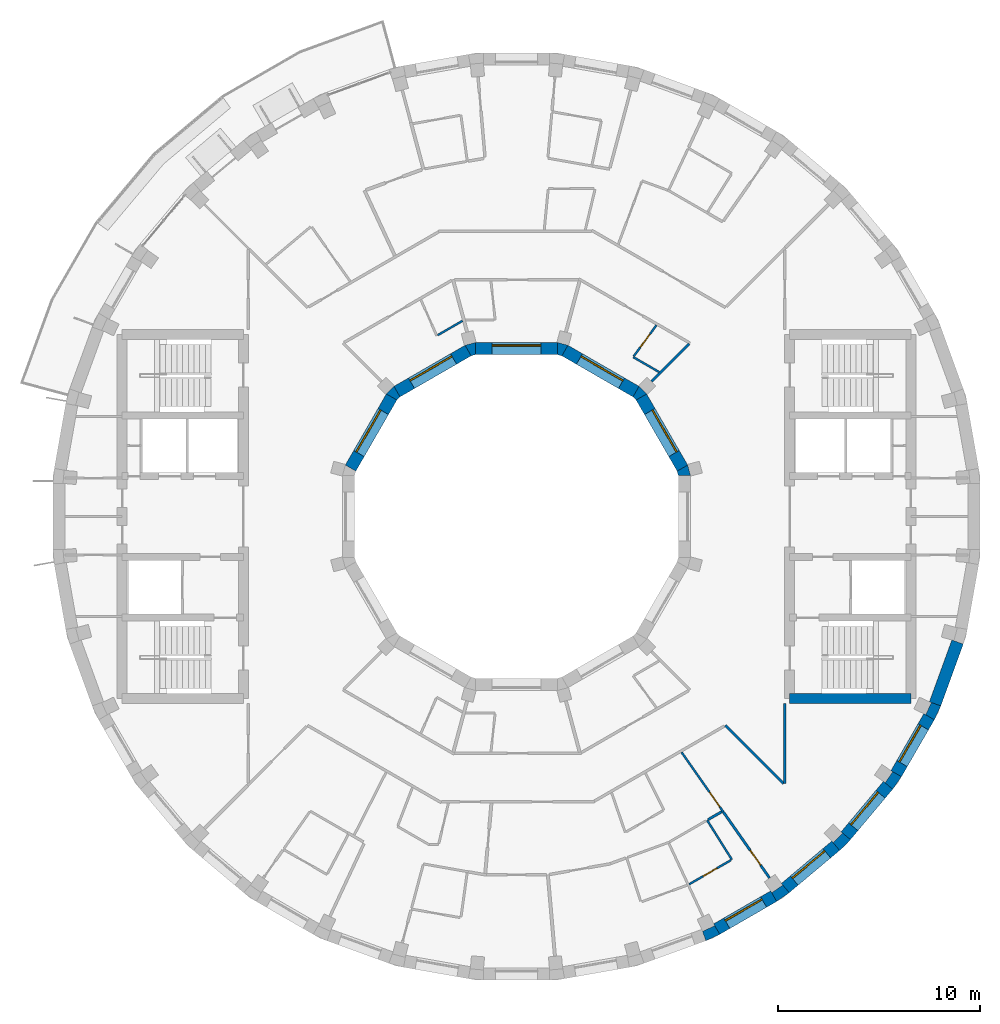
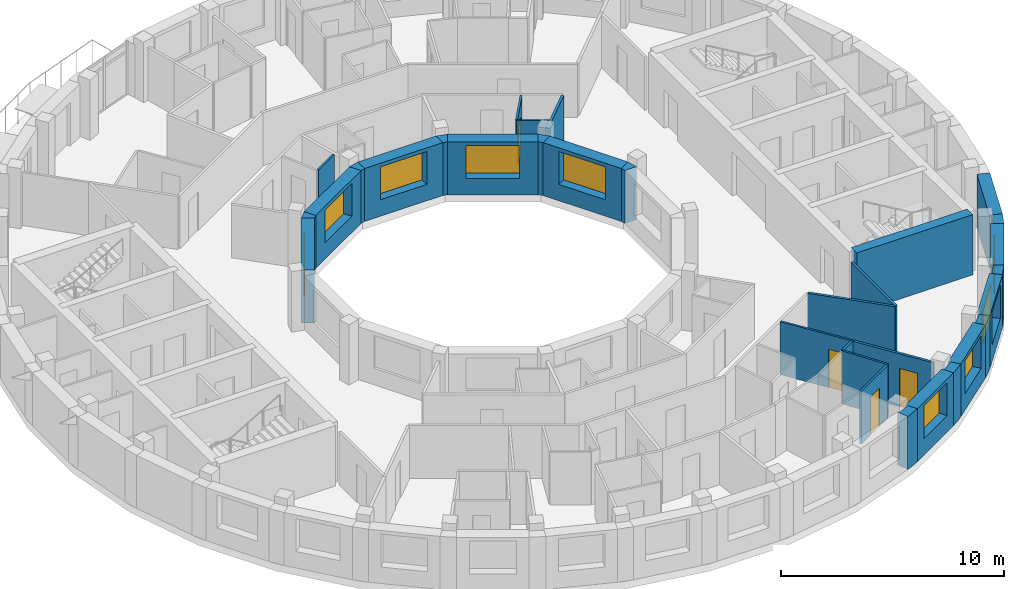
# One storey, part 7 of 12: 32 walls, 9 windows, 4 doors, 13 openings.
"""IFC4 building model written with IfcOpenShell, lengths in metres."""

import ifcopenshell
import ifcopenshell.guid

model = None  # the IFC model being written
_history = None  # IfcOwnerHistory: only IFC2X3 demands one
_inside = {}  # id of a spatial element -> (the spatial element, [elements in it])
_under = {}  # id of a project, library or spatial element -> (it, [spatial elements below it])
_declared = {}  # id of a project -> (the project, [libraries it declares])
_typed = {}  # id of a type object -> (the type object, [elements of that type])
_made_of = {}  # id of a material, layer set ... -> (it, [elements and type objects made of it])


def new_model(schema):
    """Start an empty IFC model of exactly this schema.

    Asked for "IFC4X3", IfcOpenShell would pick the latest addendum, in which some entities
    have other attributes; the version numbers below select the first issue.
    IFC2X3 requires an IfcOwnerHistory on every rooted entity: one is made here for all.
    """
    global model, _history
    if schema == "IFC4X3":
        model = ifcopenshell.file(schema_version=(4, 3, 0, 0))
    else:
        model = ifcopenshell.file(schema=schema)
    _inside.clear()
    _under.clear()
    _declared.clear()
    _typed.clear()
    _made_of.clear()
    _history = None
    if model.schema == "IFC2X3":
        org = make("IfcOrganization", Name="unknown")
        user = make(
            "IfcPersonAndOrganization",
            ThePerson=make("IfcPerson", FamilyName="unknown"),
            TheOrganization=org,
        )
        app = make(
            "IfcApplication",
            ApplicationDeveloper=org,
            Version="unknown",
            ApplicationFullName="unknown",
            ApplicationIdentifier="unknown",
        )
        _history = make(
            "IfcOwnerHistory",
            OwningUser=user,
            OwningApplication=app,
            ChangeAction="ADDED",
            CreationDate=0,
        )
    return model


def make(cls, **values):
    """One entity of the class cls with the attributes given. An attribute that is None is left unset."""
    return model.create_entity(
        cls, **{name: value for name, value in values.items() if value is not None}
    )


def rooted(cls, **values):
    """An entity with a GlobalId (a new one), such as an element, a storey or a relation."""
    return make(cls, GlobalId=ifcopenshell.guid.new(), OwnerHistory=_history, **values)


def si_unit(unit_type, name, prefix=None):
    """IfcSIUnit, for example si_unit("LENGTHUNIT", "METRE", prefix="MILLI")."""
    return make("IfcSIUnit", UnitType=unit_type, Prefix=prefix, Name=name)


def assignment(units):
    """IfcUnitAssignment: the units of a project."""
    return None if units is None else make("IfcUnitAssignment", Units=units)


def point(xyz):
    """IfcCartesianPoint."""
    return None if xyz is None else make("IfcCartesianPoint", Coordinates=xyz)


def direction(xyz):
    """IfcDirection."""
    return None if xyz is None else make("IfcDirection", DirectionRatios=xyz)


def frame(location, z_axis=None, x_axis=None):
    """IfcAxis2Placement3D, a coordinate frame: its origin and axes. An axis left out is left unset."""
    return make(
        "IfcAxis2Placement3D",
        Location=point(location),
        Axis=direction(z_axis),
        RefDirection=direction(x_axis),
    )


def frame_2d(location, x_axis=None):
    """IfcAxis2Placement2D, a coordinate frame in the plane: its origin and x axis."""
    return make(
        "IfcAxis2Placement2D", Location=point(location), RefDirection=direction(x_axis)
    )


def origin():
    """The frame at (0, 0, 0) with its axes left unset."""
    return frame((0.0, 0.0, 0.0))


def place(relative_to, where):
    """IfcLocalPlacement: puts the frame where relative to a parent placement (None: the world)."""
    return make(
        "IfcLocalPlacement", PlacementRelTo=relative_to, RelativePlacement=where
    )


def context(
    kind, dimensions, precision=None, world=None, true_north=None, identifier=None
):
    """IfcGeometricRepresentationContext, for example the 3D "Model" context."""
    return make(
        "IfcGeometricRepresentationContext",
        ContextIdentifier=identifier,
        ContextType=kind,
        CoordinateSpaceDimension=dimensions,
        Precision=precision,
        WorldCoordinateSystem=world,
        TrueNorth=true_north,
    )


def subcontext(parent, identifier, kind, view, scale=None):
    """IfcGeometricRepresentationSubContext, for example "Body" below "Model"."""
    return make(
        "IfcGeometricRepresentationSubContext",
        ContextIdentifier=identifier,
        ContextType=kind,
        ParentContext=parent,
        TargetScale=scale,
        TargetView=view,
    )


def project(units=None, contexts=None):
    """IfcProject with its units and contexts."""
    return rooted(
        "IfcProject",
        Name="project",
        RepresentationContexts=contexts,
        UnitsInContext=assignment(units),
    )


def spatial(cls, under=None, at=None, **own):
    """A site, building, storey or space (cls), placed at a placement, below another one or the project."""
    s = rooted(cls, ObjectPlacement=at, **own)
    if under is not None:
        _under.setdefault(under.id(), (under, []))[1].append(s)
    return s


def polyline(points):
    """IfcPolyline through the points."""
    return make("IfcPolyline", Points=[point(p) for p in points])


def profile(cls, at=None, kind="AREA", **sizes):
    """A parametric profile (cls). Its sizes go by their IFC names, for example OverallWidth=200.0."""
    return make(cls, ProfileType=kind, Position=at, **sizes)


def rectangle(**sizes):
    """IfcRectangleProfileDef."""
    return profile("IfcRectangleProfileDef", **sizes)


def outline(outer, holes=None, kind="AREA"):
    """IfcArbitraryClosedProfileDef: a profile drawn as a closed curve; with holes, ...WithVoids."""
    if holes is None:
        return make("IfcArbitraryClosedProfileDef", ProfileType=kind, OuterCurve=outer)
    return make(
        "IfcArbitraryProfileDefWithVoids",
        ProfileType=kind,
        OuterCurve=outer,
        InnerCurves=holes,
    )


def extrude(swept, where, along, depth):
    """IfcExtrudedAreaSolid: the profile swept, set in the frame where, extruded along a direction by depth."""
    return make(
        "IfcExtrudedAreaSolid",
        SweptArea=swept,
        Position=where,
        ExtrudedDirection=direction(along),
        Depth=depth,
    )


def shape(context_of_items, identifier, shape_type, items):
    """IfcShapeRepresentation: the items that make up one representation, for example the "Body"."""
    return make(
        "IfcShapeRepresentation",
        ContextOfItems=context_of_items,
        RepresentationIdentifier=identifier,
        RepresentationType=shape_type,
        Items=items,
    )


def material(Name=None, Category=None):
    """IfcMaterial."""
    return make("IfcMaterial", Name=Name, Category=Category)


def layer(
    of_material, thickness, ventilated=None, Name=None, Category=None, Priority=None
):
    """IfcMaterialLayer: one layer of a wall or slab, of a material (None: an air gap)."""
    return make(
        "IfcMaterialLayer",
        Material=of_material,
        LayerThickness=thickness,
        IsVentilated=ventilated,
        Name=Name,
        Category=Category,
        Priority=Priority,
    )


def layer_set(layers, Name=None):
    """IfcMaterialLayerSet."""
    return make("IfcMaterialLayerSet", MaterialLayers=layers, LayerSetName=Name)


def made_of(thing, what):
    """Note that an element or type object is made of a material, layer set ...; save() writes the relation."""
    if what is not None:
        _made_of.setdefault(what.id(), (what, []))[1].append(thing)
    return thing


def type_object(cls, material=None, **own):
    """A type object (cls), such as IfcWallType, which elements share."""
    return made_of(rooted(cls, **own), material)


def element(
    cls,
    number,
    at=None,
    inside=None,
    cuts=None,
    type_object=None,
    material=None,
    context=None,
    identifier="Body",
    shape_type=None,
    held_by="IfcProductDefinitionShape",
    body=None,
    shapes=None,
    **own,
):
    """One element of the class cls, such as IfcWall. Its Tag is "e" and its number.

    at: its placement. inside: the storey or other place that contains it. cuts: it is an
    opening in that element (IfcRelVoidsElement). A single representation is given by context,
    identifier, shape_type and body (its items); several are given by shapes. held_by: the class
    of the entity that holds the representations. save() writes the other relations.
    """
    e = rooted(cls, Tag="e%d" % number, ObjectPlacement=at, **own)
    if body is not None:
        shapes = [shape(context, identifier, shape_type, body)]
    if shapes is not None:
        e.Representation = make(held_by, Representations=shapes)
    if inside is not None:
        _inside.setdefault(inside.id(), (inside, []))[1].append(e)
    if cuts is not None:
        rooted(
            "IfcRelVoidsElement", RelatingBuildingElement=cuts, RelatedOpeningElement=e
        )
    if type_object is not None:
        _typed.setdefault(type_object.id(), (type_object, []))[1].append(e)
    return made_of(e, material)


def fill(opening, filler):
    """IfcRelFillsElement: the door or window that sits in an opening."""
    return rooted(
        "IfcRelFillsElement",
        RelatingOpeningElement=opening,
        RelatedBuildingElement=filler,
    )


def aggregate(whole, parts):
    """IfcRelAggregates: a whole, such as a stair, and the parts it consists of."""
    return rooted("IfcRelAggregates", RelatingObject=whole, RelatedObjects=parts)


def save(model, path):
    """Write the relations noted so far, then the file.

    IfcRelAggregates (storeys below a building ...), IfcRelContainedInSpatialStructure (elements
    in a storey), IfcRelDefinesByType, IfcRelAssociatesMaterial and IfcRelDeclares: one each for
    every whole, place, type object, material and project.
    """
    for whole, parts in _under.values():
        aggregate(whole, parts)
    for where, things in _inside.values():
        rooted(
            "IfcRelContainedInSpatialStructure",
            RelatedElements=things,
            RelatingStructure=where,
        )
    for kind, things in _typed.values():
        rooted("IfcRelDefinesByType", RelatedObjects=things, RelatingType=kind)
    for what, things in _made_of.values():
        rooted("IfcRelAssociatesMaterial", RelatedObjects=things, RelatingMaterial=what)
    for by, libraries in _declared.values():
        rooted("IfcRelDeclares", RelatingContext=by, RelatedDefinitions=libraries)
    model.write(path)


model = new_model("IFC4")

# Units and contexts
model_context = context("Model", 3, precision=1e-05, world=origin(), true_north=direction((0.0, 1.0)))
body_context = subcontext(model_context, "Body", "Model", "MODEL_VIEW")
ifc_project = project(units=[si_unit("LENGTHUNIT", "METRE"), si_unit("AREAUNIT", "SQUARE_METRE"), si_unit("VOLUMEUNIT", "CUBIC_METRE"), si_unit("PLANEANGLEUNIT", "RADIAN"), si_unit("MASSUNIT", "GRAM", prefix="KILO")], contexts=[model_context])

# Site, building, storey
site_placement = place(None, origin())
site = spatial("IfcSite", under=ifc_project, at=site_placement, CompositionType="ELEMENT")
building_placement = place(site_placement, origin())
building = spatial("IfcBuilding", under=site, at=building_placement, Name="Saqina Gate Tower", CompositionType="ELEMENT")
storey_placement = place(building_placement, frame((0.0, 0.0, 236.300048828125)))
storey = spatial("IfcBuildingStorey", under=building, at=storey_placement, Name="L67", CompositionType="ELEMENT", Elevation=236.300048828125)

# Walls
ifc_material_1 = material(Name="Brick masonry (buff)", Category="masonry")
wall_type_1 = type_object("IfcWallType", Name="BRICK PIER COPING BUFF", PredefinedType="SOLIDWALL", material=ifc_material_1)
wall_1_placement = place(storey_placement, origin())
element("IfcWall", 1, at=wall_1_placement, inside=storey, type_object=wall_type_1, Name="Pier cap L67 column 30", PredefinedType="SOLIDWALL", context=body_context, shape_type="SweptSolid", body=[
    extrude(outline(polyline([(9.3642578125, -20.974609375), (10.048095703125, -20.65576171875), (9.748291015625, -20.135986328125), (9.79296875, -20.23193359375), (9.203857421875, -20.506591796875), (9.1591796875, -20.410888671875), (9.3642578125, -20.974609375)])), origin(), (0.0, 0.0, 1.0), 2.89990234375),
])
wall_2_placement = place(storey_placement, origin())
element("IfcWall", 2, at=wall_2_placement, inside=storey, type_object=wall_type_1, Name="Pier cap L67 column 31", PredefinedType="SOLIDWALL", context=body_context, shape_type="SweptSolid", body=[
    extrude(outline(polyline([(12.8642578125, -19.02978515625), (13.482421875, -18.59716796875), (13.0966796875, -18.137451171875), (13.157470703125, -18.22412109375), (12.625, -18.596923828125), (12.564208984375, -18.51025390625), (12.8642578125, -19.02978515625)])), origin(), (0.0, 0.0, 1.0), 2.89990234375),
])
wall_3_placement = place(storey_placement, origin())
element("IfcWall", 3, at=wall_3_placement, inside=storey, type_object=wall_type_1, Name="Pier cap L67 column 32", PredefinedType="SOLIDWALL", context=body_context, shape_type="SweptSolid", body=[
    extrude(outline(polyline([(16.5068359375, -15.973388671875), (16.04736328125, -15.587646484375), (16.1220703125, -15.662353515625), (15.662353515625, -16.1220703125), (15.587646484375, -16.04736328125), (15.973388671875, -16.5068359375), (16.5068359375, -15.973388671875)])), origin(), (0.0, 0.0, 1.0), 2.89990234375),
])
wall_4_placement = place(storey_placement, origin())
element("IfcWall", 4, at=wall_4_placement, inside=storey, type_object=wall_type_1, Name="Pier cap L67 column 33", PredefinedType="SOLIDWALL", context=body_context, shape_type="SweptSolid", body=[
    extrude(outline(polyline([(19.02978515625, -12.8642578125), (18.51025390625, -12.564208984375), (18.596923828125, -12.625), (18.22412109375, -13.157470703125), (18.137451171875, -13.0966796875), (18.59716796875, -13.482421875), (19.02978515625, -12.8642578125)])), origin(), (0.0, 0.0, 1.0), 2.89990234375),
])
wall_5_placement = place(storey_placement, origin())
element("IfcWall", 5, at=wall_5_placement, inside=storey, type_object=wall_type_1, Name="Pier cap L67 column 34", PredefinedType="SOLIDWALL", context=body_context, shape_type="SweptSolid", body=[
    extrude(outline(polyline([(20.65576171875, -10.048095703125), (20.974609375, -9.3642578125), (20.410888671875, -9.1591796875), (20.506591796875, -9.203857421875), (20.23193359375, -9.79296875), (20.135986328125, -9.748291015625), (20.65576171875, -10.048095703125)])), origin(), (0.0, 0.0, 1.0), 2.89990234375),
])

# Wall, opening, window
ifc_material_2 = material(Name="Brick masonry (buff)", Category="masonry")
ifc_layer_1 = layer(ifc_material_2, 0.60009765625)
ifc_layer_set_1 = layer_set([ifc_layer_1], Name="FW-BRICK-BUFF")
wall_type_2 = type_object("IfcWallType", Name="FW-BRICK-BUFF", PredefinedType="SOLIDWALL", material=ifc_layer_set_1)
wall_6_placement = place(storey_placement, frame((9.898193359375, -20.39599609375, 0.0), z_axis=(0.0, 0.0, 1.0), x_axis=(0.866016800201, 0.500014901547, 0.0)))
wall_6 = element("IfcWall", 6, at=wall_6_placement, inside=storey, type_object=wall_type_2, Name="Facade wall L67 facet 30", PredefinedType="SOLIDWALL", context=body_context, shape_type="SweptSolid", body=[
    extrude(rectangle(XDim=3.251953125, YDim=0.60009765625, at=frame_2d((1.6259765625, 0.0))), origin(), (0.0, 0.0, 1.0), 2.89990234375),
])
opening_1_placement = place(wall_6_placement, frame((0.57568359375, 0.0, 0.89990234375)))
opening_1 = element("IfcOpeningElement", 7, at=opening_1_placement, cuts=wall_6, Name="Opening G19-W19", PredefinedType="OPENING", context=body_context, shape_type="SweptSolid", body=[
    extrude(rectangle(XDim=2.10009765625, YDim=1.800048828125, at=frame_2d((1.050048828125, 0.89990234375))), frame((0.0, 0.31201171875, 0.0), z_axis=(0.0, -1.0, 0.0), x_axis=(1.0, 0.0, 0.0)), (0.0, 0.0, 1.0), 0.6240234375),
])
ifc_material_3 = material(Name="Aluminium glazing", Category="aluminium")
window_type_1 = type_object("IfcWindowType", Name="WN-D", PartitioningType="SINGLE_PANEL", PredefinedType="WINDOW", material=ifc_material_3)
window_1_placement = place(opening_1_placement, origin())
window_1 = element("IfcWindow", 8, at=window_1_placement, inside=storey, type_object=window_type_1, Name="Window L67 facet 30", OverallHeight=1.800048828125, OverallWidth=2.10009765625, PartitioningType="SINGLE_PANEL", PredefinedType="WINDOW", context=body_context, shape_type="SweptSolid", body=[
    extrude(rectangle(XDim=2.10009765625, YDim=1.800048828125, at=frame_2d((1.050048828125, 0.89990234375))), frame((0.0, 0.179931640625, 0.0), z_axis=(0.0, -1.0, 0.0), x_axis=(1.0, 0.0, 0.0)), (0.0, 0.0, 1.0), 0.06005859375),
])
fill(opening_1, window_1)

wall_7_placement = place(storey_placement, frame((13.28955078125, -18.3671875, 0.0), z_axis=(0.0, 0.0, 1.0), x_axis=(0.766056773982, 0.64277291405, 0.0)))
wall_7 = element("IfcWall", 9, at=wall_7_placement, inside=storey, type_object=wall_type_2, Name="Facade wall L67 facet 31", PredefinedType="SOLIDWALL", context=body_context, shape_type="SweptSolid", body=[
    extrude(rectangle(XDim=3.251708984375, YDim=0.60009765625, at=frame_2d((1.6259765625, 0.0))), origin(), (0.0, 0.0, 1.0), 2.89990234375),
])
opening_2_placement = place(wall_7_placement, frame((0.57568359375, 0.0, 0.89990234375)))
opening_2 = element("IfcOpeningElement", 10, at=opening_2_placement, cuts=wall_7, Name="Opening G19-W20", PredefinedType="OPENING", context=body_context, shape_type="SweptSolid", body=[
    extrude(rectangle(XDim=2.10009765625, YDim=1.800048828125, at=frame_2d((1.050048828125, 0.89990234375))), frame((0.0, 0.31201171875, 0.0), z_axis=(0.0, -1.0, 0.0), x_axis=(1.0, 0.0, 0.0)), (0.0, 0.0, 1.0), 0.6240234375),
])
window_2_placement = place(opening_2_placement, origin())
window_2 = element("IfcWindow", 11, at=window_2_placement, inside=storey, type_object=window_type_1, Name="Window L67 facet 31", OverallHeight=1.800048828125, OverallWidth=2.10009765625, PartitioningType="SINGLE_PANEL", PredefinedType="WINDOW", context=body_context, shape_type="SweptSolid", body=[
    extrude(rectangle(XDim=2.10009765625, YDim=1.800048828125, at=frame_2d((1.050048828125, 0.89990234375))), frame((0.0, 0.179931640625, 0.0), z_axis=(0.0, -1.0, 0.0), x_axis=(1.0, 0.0, 0.0)), (0.0, 0.0, 1.0), 0.06005859375),
])
fill(opening_2, window_2)

wall_8_placement = place(storey_placement, frame((16.277099609375, -15.780517578125, 0.0), z_axis=(0.0, 0.0, 1.0), x_axis=(0.64277291405, 0.766056773982, 0.0)))
wall_8 = element("IfcWall", 12, at=wall_8_placement, inside=storey, type_object=wall_type_2, Name="Facade wall L67 facet 32", PredefinedType="SOLIDWALL", context=body_context, shape_type="SweptSolid", body=[
    extrude(rectangle(XDim=3.251708984375, YDim=0.60009765625, at=frame_2d((1.6259765625, 0.0))), origin(), (0.0, 0.0, 1.0), 2.89990234375),
])
opening_3_placement = place(wall_8_placement, frame((0.57568359375, 0.0, 0.89990234375)))
opening_3 = element("IfcOpeningElement", 13, at=opening_3_placement, cuts=wall_8, Name="Opening G19-W21", PredefinedType="OPENING", context=body_context, shape_type="SweptSolid", body=[
    extrude(rectangle(XDim=2.10009765625, YDim=1.800048828125, at=frame_2d((1.050048828125, 0.89990234375))), frame((0.0, 0.31201171875, 0.0), z_axis=(0.0, -1.0, 0.0), x_axis=(1.0, 0.0, 0.0)), (0.0, 0.0, 1.0), 0.6240234375),
])
window_3_placement = place(opening_3_placement, origin())
window_3 = element("IfcWindow", 14, at=window_3_placement, inside=storey, type_object=window_type_1, Name="Window L67 facet 32", OverallHeight=1.800048828125, OverallWidth=2.10009765625, PartitioningType="SINGLE_PANEL", PredefinedType="WINDOW", context=body_context, shape_type="SweptSolid", body=[
    extrude(rectangle(XDim=2.10009765625, YDim=1.800048828125, at=frame_2d((1.050048828125, 0.89990234375))), frame((0.0, 0.179931640625, 0.0), z_axis=(0.0, -1.0, 0.0), x_axis=(1.0, 0.0, 0.0)), (0.0, 0.0, 1.0), 0.06005859375),
])
fill(opening_3, window_3)

wall_9_placement = place(storey_placement, frame((18.77001953125, -12.71435546875, 0.0), z_axis=(0.0, 0.0, 1.0), x_axis=(0.500014901547, 0.866016800201, 0.0)))
wall_9 = element("IfcWall", 15, at=wall_9_placement, inside=storey, type_object=wall_type_2, Name="Facade wall L67 facet 33", PredefinedType="SOLIDWALL", context=body_context, shape_type="SweptSolid", body=[
    extrude(rectangle(XDim=3.251953125, YDim=0.60009765625, at=frame_2d((1.6259765625, 0.0))), origin(), (0.0, 0.0, 1.0), 2.89990234375),
])
opening_4_placement = place(wall_9_placement, frame((0.57568359375, 0.0, 0.89990234375)))
opening_4 = element("IfcOpeningElement", 16, at=opening_4_placement, cuts=wall_9, Name="Opening G19-W22", PredefinedType="OPENING", context=body_context, shape_type="SweptSolid", body=[
    extrude(rectangle(XDim=2.10009765625, YDim=1.800048828125, at=frame_2d((1.050048828125, 0.89990234375))), frame((0.0, 0.31201171875, 0.0), z_axis=(0.0, -1.0, 0.0), x_axis=(1.0, 0.0, 0.0)), (0.0, 0.0, 1.0), 0.6240234375),
])
window_4_placement = place(opening_4_placement, origin())
window_4 = element("IfcWindow", 17, at=window_4_placement, inside=storey, type_object=window_type_1, Name="Window L67 facet 33", OverallHeight=1.800048828125, OverallWidth=2.10009765625, PartitioningType="SINGLE_PANEL", PredefinedType="WINDOW", context=body_context, shape_type="SweptSolid", body=[
    extrude(rectangle(XDim=2.10009765625, YDim=1.800048828125, at=frame_2d((1.050048828125, 0.89990234375))), frame((0.0, 0.179931640625, 0.0), z_axis=(0.0, -1.0, 0.0), x_axis=(1.0, 0.0, 0.0)), (0.0, 0.0, 1.0), 0.06005859375),
])
fill(opening_4, window_4)

# Wall
ifc_material_4 = material(Name="Glazed ceramic tile", Category="ceramic")
ifc_layer_2 = layer(ifc_material_4, 0.60009765625)
ifc_layer_set_2 = layer_set([ifc_layer_2], Name="FW-TILE")
wall_type_3 = type_object("IfcWallType", Name="FW-TILE", PredefinedType="SOLIDWALL", material=ifc_layer_set_2)
wall_10_placement = place(storey_placement, frame((20.692626953125, -9.26171875, 0.0), z_axis=(0.0, 0.0, 1.0), x_axis=(0.342056509473, 0.939679383794, 0.0)))
element("IfcWall", 18, at=wall_10_placement, inside=storey, type_object=wall_type_3, Name="Facade wall L67 facet 34", PredefinedType="SOLIDWALL", context=body_context, shape_type="SweptSolid", body=[
    extrude(rectangle(XDim=3.251708984375, YDim=0.60009765625, at=frame_2d((1.6259765625, 0.0))), origin(), (0.0, 0.0, 1.0), 2.89990234375),
])

# Wall, opening, window
ifc_material_5 = material(Name="Glazed ceramic tile", Category="ceramic")
ifc_layer_3 = layer(ifc_material_5, 0.60009765625)
ifc_layer_set_3 = layer_set([ifc_layer_3], Name="IW-TILE")
wall_type_4 = type_object("IfcWallType", Name="IW-TILE", PredefinedType="SOLIDWALL", material=ifc_layer_set_3)
wall_11_placement = place(storey_placement, frame((8.20263671875, 2.392578125, 0.0), z_axis=(0.0, 0.0, 1.0), x_axis=(-0.499994954979, 0.866028316509, 0.0)))
wall_11 = element("IfcWall", 19, at=wall_11_placement, inside=storey, type_object=wall_type_4, Name="Well wall L67 facet 1", PredefinedType="SOLIDWALL", context=body_context, shape_type="SweptSolid", body=[
    extrude(rectangle(XDim=4.05859375, YDim=0.60009765625, at=frame_2d((2.029296875, 0.0))), origin(), (0.0, 0.0, 1.0), 2.89990234375),
])
opening_5_placement = place(wall_11_placement, frame((0.829345703125, 0.0, 0.89990234375)))
opening_5 = element("IfcOpeningElement", 20, at=opening_5_placement, cuts=wall_11, Name="Opening G19-W23", PredefinedType="OPENING", context=body_context, shape_type="SweptSolid", body=[
    extrude(rectangle(XDim=2.39990234375, YDim=1.800048828125, at=frame_2d((1.199951171875, 0.89990234375))), frame((0.0, 0.31201171875, 0.0), z_axis=(0.0, -1.0, 0.0), x_axis=(1.0, 0.0, 0.0)), (0.0, 0.0, 1.0), 0.6240234375),
])
ifc_material_6 = material(Name="Aluminium glazing", Category="aluminium")
window_type_2 = type_object("IfcWindowType", Name="WN-W", PartitioningType="SINGLE_PANEL", PredefinedType="WINDOW", material=ifc_material_6)
window_5_placement = place(opening_5_placement, origin())
window_5 = element("IfcWindow", 21, at=window_5_placement, inside=storey, type_object=window_type_2, Name="Well window L67 facet 1", OverallHeight=1.800048828125, OverallWidth=2.39990234375, PartitioningType="SINGLE_PANEL", PredefinedType="WINDOW", context=body_context, shape_type="SweptSolid", body=[
    extrude(rectangle(XDim=2.39990234375, YDim=1.800048828125, at=frame_2d((1.199951171875, 0.89990234375))), frame((0.0, -0.119873046875, 0.0), z_axis=(0.0, -1.0, 0.0), x_axis=(1.0, 0.0, 0.0)), (0.0, 0.0, 1.0), 0.06005859375),
])
fill(opening_5, window_5)

wall_12_placement = place(storey_placement, frame((5.907470703125, 6.17333984375, 0.0), z_axis=(0.0, 0.0, 1.0), x_axis=(-0.866028316509, 0.499994954979, 0.0)))
wall_12 = element("IfcWall", 22, at=wall_12_placement, inside=storey, type_object=wall_type_4, Name="Well wall L67 facet 2", PredefinedType="SOLIDWALL", context=body_context, shape_type="SweptSolid", body=[
    extrude(rectangle(XDim=4.05859375, YDim=0.60009765625, at=frame_2d((2.029296875, 0.0))), origin(), (0.0, 0.0, 1.0), 2.89990234375),
])
opening_6_placement = place(wall_12_placement, frame((0.829345703125, 0.0, 0.89990234375)))
opening_6 = element("IfcOpeningElement", 23, at=opening_6_placement, cuts=wall_12, Name="Opening G19-W24", PredefinedType="OPENING", context=body_context, shape_type="SweptSolid", body=[
    extrude(rectangle(XDim=2.39990234375, YDim=1.800048828125, at=frame_2d((1.199951171875, 0.89990234375))), frame((0.0, 0.31201171875, 0.0), z_axis=(0.0, -1.0, 0.0), x_axis=(1.0, 0.0, 0.0)), (0.0, 0.0, 1.0), 0.6240234375),
])
window_6_placement = place(opening_6_placement, origin())
window_6 = element("IfcWindow", 24, at=window_6_placement, inside=storey, type_object=window_type_2, Name="Well window L67 facet 2", OverallHeight=1.800048828125, OverallWidth=2.39990234375, PartitioningType="SINGLE_PANEL", PredefinedType="WINDOW", context=body_context, shape_type="SweptSolid", body=[
    extrude(rectangle(XDim=2.39990234375, YDim=1.800048828125, at=frame_2d((1.199951171875, 0.89990234375))), frame((0.0, -0.119873046875, 0.0), z_axis=(0.0, -1.0, 0.0), x_axis=(1.0, 0.0, 0.0)), (0.0, 0.0, 1.0), 0.06005859375),
])
fill(opening_6, window_6)

wall_13_placement = place(storey_placement, frame((2.029296875, 8.300048828125, 0.0), z_axis=(0.0, 0.0, 1.0), x_axis=(-1.0, 0.0, 0.0)))
wall_13 = element("IfcWall", 25, at=wall_13_placement, inside=storey, type_object=wall_type_4, Name="Well wall L67 facet 3", PredefinedType="SOLIDWALL", context=body_context, shape_type="SweptSolid", body=[
    extrude(rectangle(XDim=4.05859375, YDim=0.60009765625, at=frame_2d((2.029296875, 0.0))), origin(), (0.0, 0.0, 1.0), 2.89990234375),
])
opening_7_placement = place(wall_13_placement, frame((0.829345703125, 0.0, 0.89990234375)))
opening_7 = element("IfcOpeningElement", 26, at=opening_7_placement, cuts=wall_13, Name="Opening G19-W25", PredefinedType="OPENING", context=body_context, shape_type="SweptSolid", body=[
    extrude(rectangle(XDim=2.39990234375, YDim=1.800048828125, at=frame_2d((1.199951171875, 0.89990234375))), frame((0.0, 0.31201171875, 0.0), z_axis=(0.0, -1.0, 0.0), x_axis=(1.0, 0.0, 0.0)), (0.0, 0.0, 1.0), 0.6240234375),
])
window_7_placement = place(opening_7_placement, origin())
window_7 = element("IfcWindow", 27, at=window_7_placement, inside=storey, type_object=window_type_2, Name="Well window L67 facet 3", OverallHeight=1.800048828125, OverallWidth=2.39990234375, PartitioningType="SINGLE_PANEL", PredefinedType="WINDOW", context=body_context, shape_type="SweptSolid", body=[
    extrude(rectangle(XDim=2.39990234375, YDim=1.800048828125, at=frame_2d((1.199951171875, 0.89990234375))), frame((0.0, -0.119873046875, 0.0), z_axis=(0.0, -1.0, 0.0), x_axis=(1.0, 0.0, 0.0)), (0.0, 0.0, 1.0), 0.06005859375),
])
fill(opening_7, window_7)

wall_14_placement = place(storey_placement, frame((-2.392578125, 8.20263671875, 0.0), z_axis=(0.0, 0.0, 1.0), x_axis=(-0.866028316509, -0.499994954979, 0.0)))
wall_14 = element("IfcWall", 28, at=wall_14_placement, inside=storey, type_object=wall_type_4, Name="Well wall L67 facet 4", PredefinedType="SOLIDWALL", context=body_context, shape_type="SweptSolid", body=[
    extrude(rectangle(XDim=4.05859375, YDim=0.60009765625, at=frame_2d((2.029296875, 0.0))), origin(), (0.0, 0.0, 1.0), 2.89990234375),
])
opening_8_placement = place(wall_14_placement, frame((0.829345703125, 0.0, 0.89990234375)))
opening_8 = element("IfcOpeningElement", 29, at=opening_8_placement, cuts=wall_14, Name="Opening G19-W26", PredefinedType="OPENING", context=body_context, shape_type="SweptSolid", body=[
    extrude(rectangle(XDim=2.39990234375, YDim=1.800048828125, at=frame_2d((1.199951171875, 0.89990234375))), frame((0.0, 0.31201171875, 0.0), z_axis=(0.0, -1.0, 0.0), x_axis=(1.0, 0.0, 0.0)), (0.0, 0.0, 1.0), 0.6240234375),
])
window_8_placement = place(opening_8_placement, origin())
window_8 = element("IfcWindow", 30, at=window_8_placement, inside=storey, type_object=window_type_2, Name="Well window L67 facet 4", OverallHeight=1.800048828125, OverallWidth=2.39990234375, PartitioningType="SINGLE_PANEL", PredefinedType="WINDOW", context=body_context, shape_type="SweptSolid", body=[
    extrude(rectangle(XDim=2.39990234375, YDim=1.800048828125, at=frame_2d((1.199951171875, 0.89990234375))), frame((0.0, -0.119873046875, 0.0), z_axis=(0.0, -1.0, 0.0), x_axis=(1.0, 0.0, 0.0)), (0.0, 0.0, 1.0), 0.06005859375),
])
fill(opening_8, window_8)

wall_15_placement = place(storey_placement, frame((-6.17333984375, 5.907470703125, 0.0), z_axis=(0.0, 0.0, 1.0), x_axis=(-0.499994954979, -0.866028316509, 0.0)))
wall_15 = element("IfcWall", 31, at=wall_15_placement, inside=storey, type_object=wall_type_4, Name="Well wall L67 facet 5", PredefinedType="SOLIDWALL", context=body_context, shape_type="SweptSolid", body=[
    extrude(rectangle(XDim=4.05859375, YDim=0.60009765625, at=frame_2d((2.029296875, 0.0))), origin(), (0.0, 0.0, 1.0), 2.89990234375),
])
opening_9_placement = place(wall_15_placement, frame((0.829345703125, 0.0, 0.89990234375)))
opening_9 = element("IfcOpeningElement", 32, at=opening_9_placement, cuts=wall_15, Name="Opening G19-W27", PredefinedType="OPENING", context=body_context, shape_type="SweptSolid", body=[
    extrude(rectangle(XDim=2.39990234375, YDim=1.800048828125, at=frame_2d((1.199951171875, 0.89990234375))), frame((0.0, 0.31201171875, 0.0), z_axis=(0.0, -1.0, 0.0), x_axis=(1.0, 0.0, 0.0)), (0.0, 0.0, 1.0), 0.6240234375),
])
window_9_placement = place(opening_9_placement, origin())
window_9 = element("IfcWindow", 33, at=window_9_placement, inside=storey, type_object=window_type_2, Name="Well window L67 facet 5", OverallHeight=1.800048828125, OverallWidth=2.39990234375, PartitioningType="SINGLE_PANEL", PredefinedType="WINDOW", context=body_context, shape_type="SweptSolid", body=[
    extrude(rectangle(XDim=2.39990234375, YDim=1.800048828125, at=frame_2d((1.199951171875, 0.89990234375))), frame((0.0, -0.119873046875, 0.0), z_axis=(0.0, -1.0, 0.0), x_axis=(1.0, 0.0, 0.0)), (0.0, 0.0, 1.0), 0.06005859375),
])
fill(opening_9, window_9)

# Wall
ifc_material_7 = material(Name="Gypsum board on steel studs, 100 mm", Category="steel")
ifc_layer_4 = layer(ifc_material_7, 0.10009765625)
ifc_layer_set_4 = layer_set([ifc_layer_4], Name="PARTITION 100")
wall_type_5 = type_object("IfcWallType", Name="PARTITION 100", PredefinedType="PARTITIONING", material=ifc_layer_set_4)
wall_16_placement = place(storey_placement, frame((9.423095703125, -15.011962890625, 0.0), z_axis=(0.0, 0.0, 1.0), x_axis=(0.531608930636, -0.846989931975, 0.0)))
element("IfcWall", 34, at=wall_16_placement, inside=storey, type_object=wall_type_5, Name="PARTITION PW3-08", PredefinedType="PARTITIONING", context=body_context, shape_type="SweptSolid", body=[
    extrude(rectangle(XDim=2.30224609375, YDim=0.10009765625, at=frame_2d((1.151123046875, 0.0))), origin(), (0.0, 0.0, 1.0), 2.89990234375),
])

# Wall, opening, door
wall_17_placement = place(storey_placement, frame((8.15966796875, -11.653564453125, 0.0), z_axis=(0.0, 0.0, 1.0), x_axis=(0.573580547772, -0.819149165426, 0.0)))
wall_17 = element("IfcWall", 35, at=wall_17_placement, inside=storey, type_object=wall_type_5, Name="PARTITION PW3-09", PredefinedType="PARTITIONING", context=body_context, shape_type="SweptSolid", body=[
    extrude(rectangle(XDim=3.60400390625, YDim=0.10009765625, at=frame_2d((1.802001953125, 0.0))), origin(), (0.0, 0.0, 1.0), 2.89990234375),
])
opening_10_placement = place(wall_17_placement, frame((2.40478515625, 0.0, 0.0)))
opening_10 = element("IfcOpeningElement", 36, at=opening_10_placement, cuts=wall_17, Name="Opening G19-D42", PredefinedType="OPENING", context=body_context, shape_type="SweptSolid", body=[
    extrude(rectangle(XDim=0.89990234375, YDim=2.10009765625, at=frame_2d((0.449951171875, 1.050048828125))), frame((0.0, 0.06201171875, 0.0), z_axis=(0.0, -1.0, 0.0), x_axis=(1.0, 0.0, 0.0)), (0.0, 0.0, 1.0), 0.1240234375),
])
ifc_material_8 = material(Name="Timber door leaf, 900 mm", Category="wood")
door_type_1 = type_object("IfcDoorType", Name="DOOR 900 TIMBER", OperationType="SINGLE_SWING_LEFT", PredefinedType="DOOR", material=ifc_material_8)
door_1_placement = place(opening_10_placement, origin())
door_1 = element("IfcDoor", 37, at=door_1_placement, inside=storey, type_object=door_type_1, Name="DOOR G19-D42", OperationType="SINGLE_SWING_RIGHT", OverallHeight=2.10009765625, OverallWidth=0.89990234375, PredefinedType="DOOR", context=body_context, shape_type="SweptSolid", body=[
    extrude(rectangle(XDim=0.89990234375, YDim=2.10009765625, at=frame_2d((0.449951171875, 1.050048828125))), frame((0.0, 0.02490234375, 0.0), z_axis=(0.0, -1.0, 0.0), x_axis=(1.0, 0.0, 0.0)), (0.0, 0.0, 1.0), 0.050048828125),
])
fill(opening_10, door_1)

# Wall
wall_18_placement = place(storey_placement, frame((5.76708984375, 7.882080078125, 0.0), z_axis=(0.0, 0.0, 1.0), x_axis=(0.866040576453, -0.499973719246, 0.0)))
element("IfcWall", 38, at=wall_18_placement, inside=storey, type_object=wall_type_5, Name="PARTITION PW3-17", PredefinedType="PARTITIONING", context=body_context, shape_type="SweptSolid", body=[
    extrude(rectangle(XDim=1.48583984375, YDim=0.10009765625, at=frame_2d((0.742919921875, 0.0))), origin(), (0.0, 0.0, 1.0), 2.89990234375),
])

# Wall, opening, door
wall_19_placement = place(storey_placement, frame((8.533203125, -18.181884765625, 0.0), z_axis=(0.0, 0.0, 1.0), x_axis=(0.866136275394, 0.49980791555, 0.0)))
wall_19 = element("IfcWall", 39, at=wall_19_placement, inside=storey, type_object=wall_type_5, Name="PARTITION PW3-33", PredefinedType="PARTITIONING", context=body_context, shape_type="SweptSolid", body=[
    extrude(rectangle(XDim=2.390625, YDim=0.10009765625, at=frame_2d((1.1953125, 0.0))), origin(), (0.0, 0.0, 1.0), 2.89990234375),
])
opening_11_placement = place(wall_19_placement, frame((0.79541015625, 0.0, 0.0)))
opening_11 = element("IfcOpeningElement", 40, at=opening_11_placement, cuts=wall_19, Name="Opening G19-D40", PredefinedType="OPENING", context=body_context, shape_type="SweptSolid", body=[
    extrude(rectangle(XDim=0.800048828125, YDim=2.10009765625, at=frame_2d((0.39990234375, 1.050048828125))), frame((0.0, 0.06201171875, 0.0), z_axis=(0.0, -1.0, 0.0), x_axis=(1.0, 0.0, 0.0)), (0.0, 0.0, 1.0), 0.1240234375),
])
ifc_material_9 = material(Name="Timber door leaf, 800 mm", Category="wood")
door_type_2 = type_object("IfcDoorType", Name="DOOR 800 TIMBER", OperationType="SINGLE_SWING_LEFT", PredefinedType="DOOR", material=ifc_material_9)
door_2_placement = place(opening_11_placement, frame((0.800048828125, 0.0, 0.0), z_axis=(0.0, 0.0, 1.0), x_axis=(-1.0, 0.0, 0.0)))
door_2 = element("IfcDoor", 41, at=door_2_placement, inside=storey, type_object=door_type_2, Name="DOOR G19-D40", OperationType="SINGLE_SWING_LEFT", OverallHeight=2.10009765625, OverallWidth=0.800048828125, PredefinedType="DOOR", context=body_context, shape_type="SweptSolid", body=[
    extrude(rectangle(XDim=0.800048828125, YDim=2.10009765625, at=frame_2d((0.39990234375, 1.050048828125))), frame((0.0, 0.02490234375, 0.0), z_axis=(0.0, -1.0, 0.0), x_axis=(1.0, 0.0, 0.0)), (0.0, 0.0, 1.0), 0.050048828125),
])
fill(opening_11, door_2)

# Wall
wall_20_placement = place(storey_placement, frame((-3.899658203125, 8.9609375, 0.0), z_axis=(0.0, 0.0, 1.0), x_axis=(0.866028486751, 0.499994660107, 0.0)))
element("IfcWall", 42, at=wall_20_placement, inside=storey, type_object=wall_type_5, Name="PARTITION PW3-37", PredefinedType="PARTITIONING", context=body_context, shape_type="SweptSolid", body=[
    extrude(rectangle(XDim=1.42333984375, YDim=0.10009765625, at=frame_2d((0.711669921875, 0.0))), origin(), (0.0, 0.0, 1.0), 2.89990234375),
])

# Wall, opening, door
wall_21_placement = place(storey_placement, frame((5.796630859375, 7.92236328125, 0.0), z_axis=(0.0, 0.0, 1.0), x_axis=(0.59039359818, 0.807115480726, 0.0)))
wall_21 = element("IfcWall", 43, at=wall_21_placement, inside=storey, type_object=wall_type_5, Name="PARTITION PW3-39", PredefinedType="PARTITIONING", context=body_context, shape_type="SweptSolid", body=[
    extrude(rectangle(XDim=1.8994140625, YDim=0.10009765625, at=frame_2d((0.94970703125, 0.0))), origin(), (0.0, 0.0, 1.0), 2.89990234375),
])
opening_12_placement = place(wall_21_placement, frame((0.55615234375, 0.0, 0.0)))
opening_12 = element("IfcOpeningElement", 44, at=opening_12_placement, cuts=wall_21, Name="Opening G19-D02", PredefinedType="OPENING", context=body_context, shape_type="SweptSolid", body=[
    extrude(rectangle(XDim=0.800048828125, YDim=2.10009765625, at=frame_2d((0.39990234375, 1.050048828125))), frame((0.0, 0.06201171875, 0.0), z_axis=(0.0, -1.0, 0.0), x_axis=(1.0, 0.0, 0.0)), (0.0, 0.0, 1.0), 0.1240234375),
])
door_3_placement = place(opening_12_placement, origin())
door_3 = element("IfcDoor", 45, at=door_3_placement, inside=storey, type_object=door_type_2, Name="DOOR G19-D02", OperationType="SINGLE_SWING_RIGHT", OverallHeight=2.10009765625, OverallWidth=0.800048828125, PredefinedType="DOOR", context=body_context, shape_type="SweptSolid", body=[
    extrude(rectangle(XDim=0.800048828125, YDim=2.10009765625, at=frame_2d((0.39990234375, 1.050048828125))), frame((0.0, 0.02490234375, 0.0), z_axis=(0.0, -1.0, 0.0), x_axis=(1.0, 0.0, 0.0)), (0.0, 0.0, 1.0), 0.050048828125),
])
fill(opening_12, door_3)

ifc_material_10 = material(Name="Gypsum board on steel studs, 125 mm, fire rated", Category="steel")
ifc_layer_5 = layer(ifc_material_10, 0.125)
ifc_layer_set_5 = layer_set([ifc_layer_5], Name="PARTITION EI 30 125")
wall_type_6 = type_object("IfcWallType", Name="PARTITION EI 30 125", PredefinedType="PARTITIONING", material=ifc_layer_set_5)
wall_22_placement = place(storey_placement, frame((10.224853515625, -14.607177734375, 0.0), z_axis=(0.0, 0.0, 1.0), x_axis=(0.573696694948, -0.819067825156, 0.0)))
wall_22 = element("IfcWall", 46, at=wall_22_placement, inside=storey, type_object=wall_type_6, Name="PARTITION PW1-03", PredefinedType="PARTITIONING", context=body_context, shape_type="SweptSolid", body=[
    extrude(rectangle(XDim=3.98486328125, YDim=0.125, at=frame_2d((1.992431640625, 0.0))), origin(), (0.0, 0.0, 1.0), 2.89990234375),
])
opening_13_placement = place(wall_22_placement, frame((2.308837890625, 0.0, 0.0)))
opening_13 = element("IfcOpeningElement", 47, at=opening_13_placement, cuts=wall_22, Name="Opening G19-D43", PredefinedType="OPENING", context=body_context, shape_type="SweptSolid", body=[
    extrude(rectangle(XDim=0.89990234375, YDim=2.10009765625, at=frame_2d((0.449951171875, 1.050048828125))), frame((0.0, 0.074462890625, 0.0), z_axis=(0.0, -1.0, 0.0), x_axis=(1.0, 0.0, 0.0)), (0.0, 0.0, 1.0), 0.14892578125),
])
ifc_material_11 = material(Name="Fire door leaf EI 30, 900 mm")
door_type_3 = type_object("IfcDoorType", Name="DOOR 900 EI 30", OperationType="SINGLE_SWING_LEFT", PredefinedType="DOOR", material=ifc_material_11)
door_4_placement = place(opening_13_placement, origin())
door_4 = element("IfcDoor", 48, at=door_4_placement, inside=storey, type_object=door_type_3, Name="DOOR G19-D43", OperationType="SINGLE_SWING_RIGHT", OverallHeight=2.10009765625, OverallWidth=0.89990234375, PredefinedType="DOOR", context=body_context, shape_type="SweptSolid", body=[
    extrude(rectangle(XDim=0.89990234375, YDim=2.10009765625, at=frame_2d((0.449951171875, 1.050048828125))), frame((0.0, 0.02490234375, 0.0), z_axis=(0.0, -1.0, 0.0), x_axis=(1.0, 0.0, 0.0)), (0.0, 0.0, 1.0), 0.050048828125),
])
fill(opening_13, door_4)

# Walls
wall_23_placement = place(storey_placement, frame((10.330078125, -10.327880859375, 0.0), z_axis=(0.0, 0.0, 1.0), x_axis=(0.707076776443, -0.707136784657, 0.0)))
element("IfcWall", 49, at=wall_23_placement, inside=storey, type_object=wall_type_6, Name="PARTITION PW1-07", PredefinedType="PARTITIONING", context=body_context, shape_type="SweptSolid", body=[
    extrude(rectangle(XDim=4.068359375, YDim=0.125, at=frame_2d((2.0341796875, 0.0))), origin(), (0.0, 0.0, 1.0), 2.89990234375),
])
wall_24_placement = place(storey_placement, frame((9.4658203125, -14.986328125, 0.0), z_axis=(0.0, 0.0, 1.0), x_axis=(0.866569975824, 0.499055585082, 0.0)))
element("IfcWall", 50, at=wall_24_placement, inside=storey, type_object=wall_type_6, Name="PARTITION PW1-24", PredefinedType="PARTITIONING", context=body_context, shape_type="SweptSolid", body=[
    extrude(rectangle(XDim=0.79248046875, YDim=0.125, at=frame_2d((0.396240234375, 0.0))), origin(), (0.0, 0.0, 1.0), 2.89990234375),
])
wall_25_placement = place(storey_placement, frame((6.6767578125, 6.6767578125, 0.0), z_axis=(0.0, 0.0, 1.0), x_axis=(0.707106781187, 0.707106781187, 0.0)))
element("IfcWall", 51, at=wall_25_placement, inside=storey, type_object=wall_type_6, Name="PARTITION PW1-31", PredefinedType="PARTITIONING", context=body_context, shape_type="SweptSolid", body=[
    extrude(rectangle(XDim=2.617919921875, YDim=0.125, at=frame_2d((1.30908203125, 0.0))), origin(), (0.0, 0.0, 1.0), 2.89990234375),
])
wall_26_placement = place(storey_placement, frame((13.25, -13.1875, 0.0), z_axis=(0.0, 0.0, 1.0), x_axis=(0.0, 1.0, 0.0)))
element("IfcWall", 52, at=wall_26_placement, inside=storey, type_object=wall_type_6, Name="PARTITION PW1-40", PredefinedType="PARTITIONING", context=body_context, shape_type="SweptSolid", body=[
    extrude(rectangle(XDim=3.9375, YDim=0.125, at=frame_2d((1.96875, 0.0))), origin(), (0.0, 0.0, 1.0), 2.89990234375),
])
ifc_material_12 = material(Name="Concrete C60/75", Category="concrete")
ifc_layer_6 = layer(ifc_material_12, 0.5)
ifc_layer_set_6 = layer_set([ifc_layer_6], Name="Concrete C60/75")
wall_type_7 = type_object("IfcWallType", Name="STR-CORE WALL-D-O", PredefinedType="SHEAR", material=ifc_layer_set_6)
wall_27_placement = place(storey_placement, frame((13.5, -9.0, 0.0), z_axis=(0.0, 0.0, 1.0), x_axis=(1.0, 0.0, 0.0)))
element("IfcWall", 53, at=wall_27_placement, inside=storey, type_object=wall_type_7, Name="CORE WALL L67 E-SE", PredefinedType="SHEAR", context=body_context, shape_type="SweptSolid", body=[
    extrude(rectangle(XDim=6.0, YDim=0.5, at=frame_2d((3.0, 0.0))), origin(), (0.0, 0.0, 1.0), 3.300048828125),
])
ifc_material_13 = material(Name="Glazed ceramic tile", Category="ceramic")
wall_type_8 = type_object("IfcWallType", Name="TILE PIER COPING", PredefinedType="SOLIDWALL", material=ifc_material_13)
wall_28_placement = place(storey_placement, origin())
element("IfcWall", 54, at=wall_28_placement, inside=storey, type_object=wall_type_8, Name="Well pier cap L67 column 1", PredefinedType="SOLIDWALL", context=body_context, shape_type="SweptSolid", body=[
    extrude(outline(polyline([(8.46240234375, 2.54248046875), (7.94287109375, 2.242431640625), (8.0, 2.029296875), (8.60009765625, 2.029296875), (8.46240234375, 2.54248046875)])), origin(), (0.0, 0.0, 1.0), 2.89990234375),
])
wall_29_placement = place(storey_placement, origin())
element("IfcWall", 55, at=wall_29_placement, inside=storey, type_object=wall_type_8, Name="Well pier cap L67 column 2", PredefinedType="SOLIDWALL", context=body_context, shape_type="SweptSolid", body=[
    extrude(outline(polyline([(6.0576171875, 6.43310546875), (5.757568359375, 5.91357421875), (5.91357421875, 5.757568359375), (6.43310546875, 6.0576171875), (6.0576171875, 6.43310546875)])), origin(), (0.0, 0.0, 1.0), 2.89990234375),
])
wall_30_placement = place(storey_placement, origin())
element("IfcWall", 56, at=wall_30_placement, inside=storey, type_object=wall_type_8, Name="Well pier cap L67 column 3", PredefinedType="SOLIDWALL", context=body_context, shape_type="SweptSolid", body=[
    extrude(outline(polyline([(2.029296875, 8.60009765625), (2.029296875, 8.0), (2.242431640625, 7.94287109375), (2.54248046875, 8.46240234375), (2.029296875, 8.60009765625)])), origin(), (0.0, 0.0, 1.0), 2.89990234375),
])
wall_31_placement = place(storey_placement, origin())
element("IfcWall", 57, at=wall_31_placement, inside=storey, type_object=wall_type_8, Name="Well pier cap L67 column 4", PredefinedType="SOLIDWALL", context=body_context, shape_type="SweptSolid", body=[
    extrude(outline(polyline([(-2.54248046875, 8.46240234375), (-2.242431640625, 7.94287109375), (-2.029296875, 8.0), (-2.029296875, 8.60009765625), (-2.54248046875, 8.46240234375)])), origin(), (0.0, 0.0, 1.0), 2.89990234375),
])
wall_32_placement = place(storey_placement, origin())
element("IfcWall", 58, at=wall_32_placement, inside=storey, type_object=wall_type_8, Name="Well pier cap L67 column 5", PredefinedType="SOLIDWALL", context=body_context, shape_type="SweptSolid", body=[
    extrude(outline(polyline([(-6.43310546875, 6.0576171875), (-5.91357421875, 5.757568359375), (-5.757568359375, 5.91357421875), (-6.0576171875, 6.43310546875), (-6.43310546875, 6.0576171875)])), origin(), (0.0, 0.0, 1.0), 2.89990234375),
])

save(model, "model.ifc")
